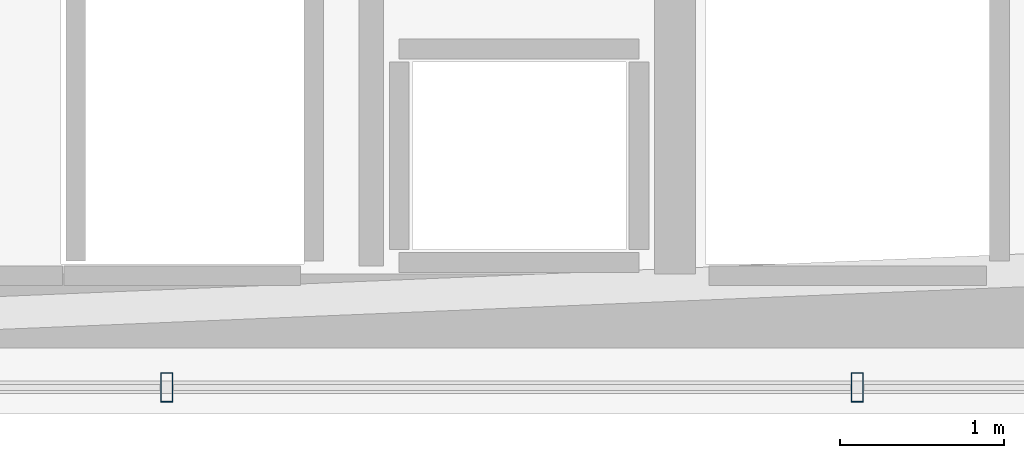
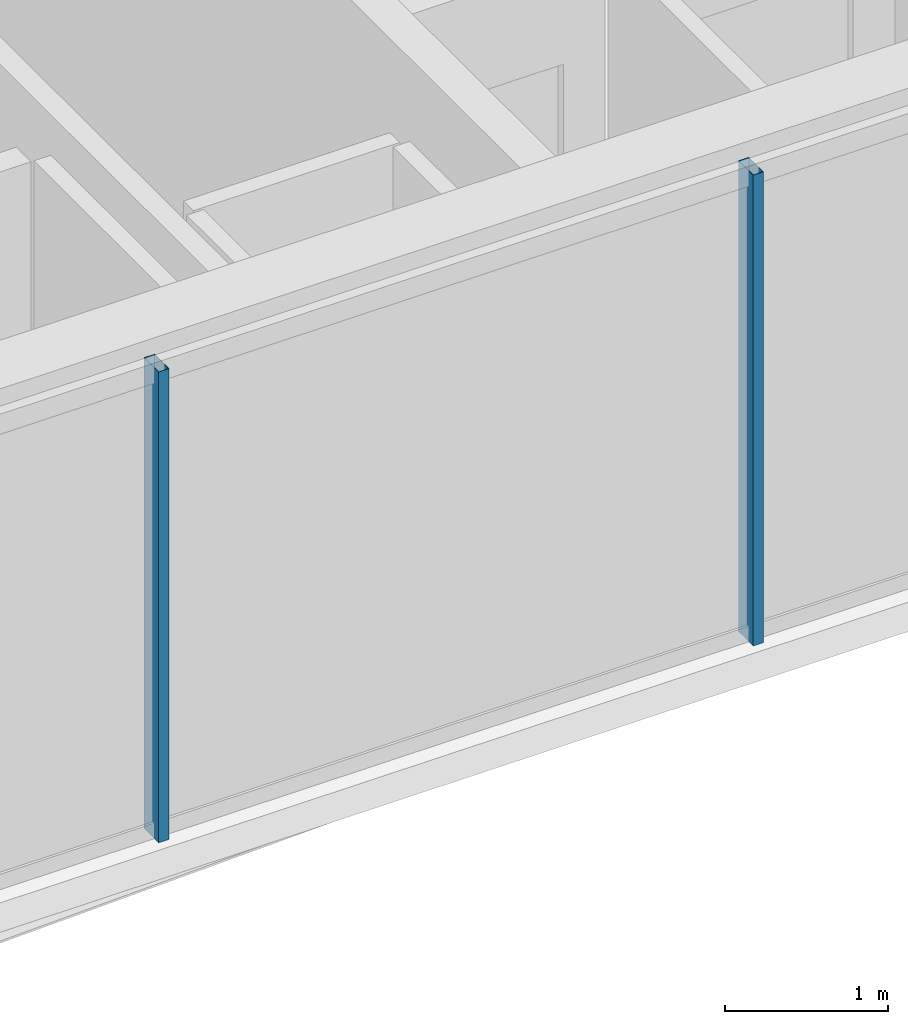
# One storey, part 9 of 31: 2 members, 1 element without a shape of its own.
"""IFC4 building model written with IfcOpenShell, lengths in metres."""

from ifc_helpers import new_model, si_unit, direction, frame, origin, origin_2d, place, context, subcontext, project, spatial, hollow_rectangle, extrude, material, layer, layer_set, material_profile, profile_set, type_object, element, aggregate, save


model = new_model("IFC4")

# Units and contexts
model_context = context("Model", 3, precision=1e-05, world=origin(), true_north=direction((0.0, 1.0)))
body_context = subcontext(model_context, "Body", "Model", "MODEL_VIEW")
ifc_project = project(units=[si_unit("LENGTHUNIT", "METRE"), si_unit("AREAUNIT", "SQUARE_METRE"), si_unit("VOLUMEUNIT", "CUBIC_METRE"), si_unit("PLANEANGLEUNIT", "RADIAN"), si_unit("MASSUNIT", "GRAM", prefix="KILO")], contexts=[model_context])

# Site, building, storey
site_placement = place(None, origin())
site = spatial("IfcSite", under=ifc_project, at=site_placement, CompositionType="ELEMENT")
building_placement = place(site_placement, origin())
building = spatial("IfcBuilding", under=site, at=building_placement, Name="Ndaravel Arena Tower", CompositionType="ELEMENT")
storey_placement = place(building_placement, frame((0.0, 0.0, 108.199951171875)))
storey = spatial("IfcBuildingStorey", under=building, at=storey_placement, Name="L25", CompositionType="ELEMENT", Elevation=108.199951171875)

# Curtain wall, members
ifc_material_1 = material(Name="Aluminium", Category="aluminium")
ifc_layer = layer(ifc_material_1, 0.179931640625)
ifc_layer_set = layer_set([ifc_layer], Name="Aluminium")
curtain_wall_type = type_object("IfcCurtainWallType", Name="CW-SYS-03", PredefinedType="NOTDEFINED", material=ifc_layer_set)
curtain_wall_placement = place(storey_placement, origin())
curtain_wall = element("IfcCurtainWall", 1, at=curtain_wall_placement, inside=storey, type_object=curtain_wall_type, Name="L25 Faceted Crystal Curtain Wall CW-L25-E01", PredefinedType="NOTDEFINED")
ifc_material_2 = material(Name="Aluminium", Category="aluminium")
ifc_material_profile = material_profile(ifc_material_2, hollow_rectangle(XDim=0.074951171875, YDim=0.179931640625, WallThickness=0.00390625, at=origin_2d()), Name="CW MULLION 75x180x4")
ifc_profile_set = profile_set([ifc_material_profile], Name="Aluminium")
member_type = type_object("IfcMemberType", Name="MEM-CW-MUL180", PredefinedType="MULLION", material=ifc_profile_set)
member_1_placement = place(storey_placement, frame((46.20458984375, 5.159912109375, 0.0), z_axis=(0.0, 0.0, 1.0), x_axis=(1.0, 0.0, 0.0)))
member_1 = element("IfcMember", 2, at=member_1_placement, type_object=member_type, Name="CW-L25-E01 Mullion 05", PredefinedType="MULLION", context=body_context, shape_type="SweptSolid", body=[
    extrude(hollow_rectangle(XDim=0.074951171875, YDim=0.179931640625, WallThickness=0.00390625, at=origin_2d()), origin(), (0.0, 0.0, 1.0), 3.52001953125),
])
member_2_placement = place(storey_placement, frame((50.408935546875, 5.159912109375, 0.0), z_axis=(0.0, 0.0, 1.0), x_axis=(1.0, 0.0, 0.0)))
member_2 = element("IfcMember", 3, at=member_2_placement, type_object=member_type, Name="CW-L25-E01 Mullion 06", PredefinedType="MULLION", context=body_context, shape_type="SweptSolid", body=[
    extrude(hollow_rectangle(XDim=0.074951171875, YDim=0.179931640625, WallThickness=0.00390625, at=origin_2d()), origin(), (0.0, 0.0, 1.0), 3.52001953125),
])
aggregate(curtain_wall, [member_1, member_2])

save(model, "model.ifc")
